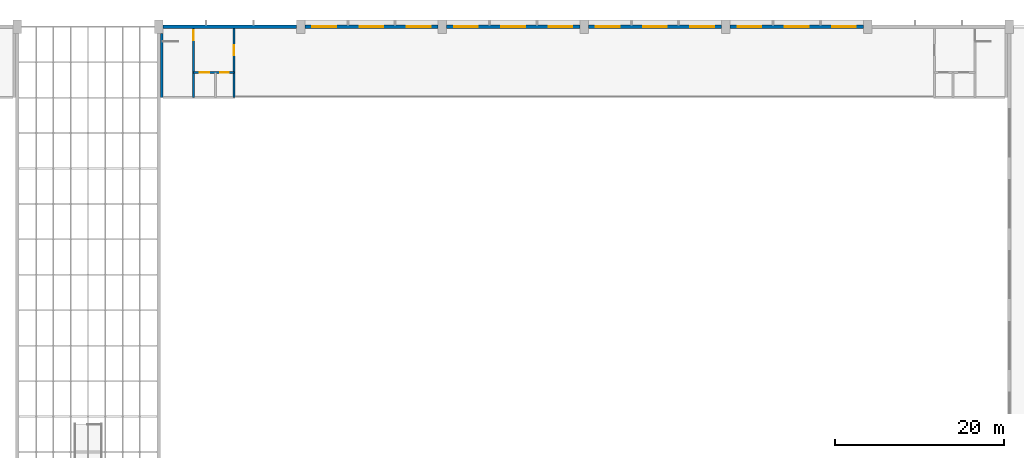
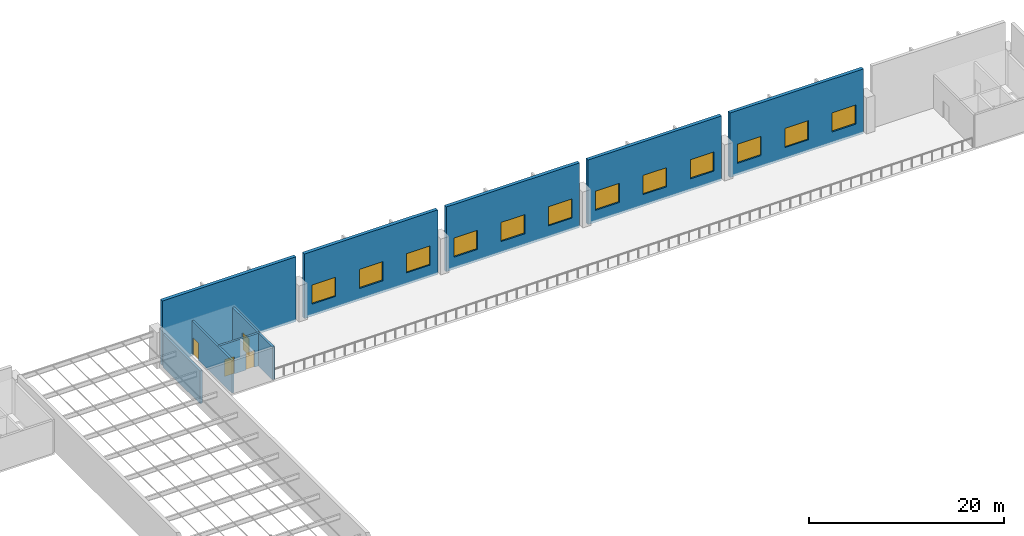
# One storey, part 95 of 162: 12 windows, 9 walls, 4 doors, 16 openings.
"""IFC4 building model written with IfcOpenShell, lengths in metres."""

from ifc_helpers import new_model, si_unit, direction, frame, frame_2d, origin, place, context, subcontext, project, spatial, rectangle, extrude, material, layer, layer_set, type_object, element, fill, save


model = new_model("IFC4")

# Units and contexts
model_context = context("Model", 3, precision=1e-05, world=origin(), true_north=direction((0.0, 1.0)))
body_context = subcontext(model_context, "Body", "Model", "MODEL_VIEW")
ifc_project = project(units=[si_unit("LENGTHUNIT", "METRE"), si_unit("AREAUNIT", "SQUARE_METRE"), si_unit("VOLUMEUNIT", "CUBIC_METRE"), si_unit("PLANEANGLEUNIT", "RADIAN"), si_unit("MASSUNIT", "GRAM", prefix="KILO")], contexts=[model_context])

# Site, building, storey
site_placement = place(None, origin())
site = spatial("IfcSite", under=ifc_project, at=site_placement, CompositionType="ELEMENT")
building_placement = place(site_placement, origin())
building = spatial("IfcBuilding", under=site, at=building_placement, Name="Rain Tree Exposition and Congress Centre", CompositionType="ELEMENT")
storey_placement = place(building_placement, frame((0.0, 0.0, 6.0)))
storey = spatial("IfcBuildingStorey", under=building, at=storey_placement, Name="L01", CompositionType="ELEMENT", Elevation=6.0)

# Wall
ifc_material_1 = material(Name="Concrete C40/50", Category="concrete")
ifc_layer_1 = layer(ifc_material_1, 0.300048828125)
ifc_layer_set_1 = layer_set([ifc_layer_1], Name="Concrete C40/50")
wall_type_1 = type_object("IfcWallType", Name="Core gable pier wall 300", PredefinedType="SHEAR", material=ifc_layer_set_1)
wall_1_placement = place(storey_placement, frame((143.14990234375, 200.800048828125, 0.0), z_axis=(0.0, 0.0, 1.0), x_axis=(0.0, -1.0, 0.0)))
element("IfcWall", 1, at=wall_1_placement, inside=storey, type_object=wall_type_1, Name="Gable pier wall 7", PredefinedType="SHEAR", context=body_context, shape_type="SweptSolid", body=[
    extrude(rectangle(XDim=7.60009765625, YDim=0.300048828125, at=frame_2d((3.800048828125, 0.0))), origin(), (0.0, 0.0, 1.0), 4.10009765625),
])

# Wall, opening, door
ifc_material_2 = material(Name="Concrete C40/50", Category="concrete")
ifc_layer_2 = layer(ifc_material_2, 0.25)
ifc_layer_set_2 = layer_set([ifc_layer_2], Name="Concrete C40/50")
wall_type_2 = type_object("IfcWallType", Name="Core wall 250", PredefinedType="SHEAR", material=ifc_layer_set_2)
wall_2_placement = place(storey_placement, frame((146.89990234375, 201.39990234375, 0.0), z_axis=(0.0, 0.0, 1.0), x_axis=(0.0, -1.0, 0.0)))
wall_2 = element("IfcWall", 2, at=wall_2_placement, inside=storey, type_object=wall_type_2, Name="Stair wall 7", PredefinedType="SHEAR", context=body_context, shape_type="SweptSolid", body=[
    extrude(rectangle(XDim=8.199951171875, YDim=0.25, at=frame_2d((4.10009765625, 0.0))), origin(), (0.0, 0.0, 1.0), 4.10009765625),
])
opening_1_placement = place(wall_2_placement, frame((0.199951171875, 0.0, 0.0)))
opening_1 = element("IfcOpeningElement", 3, at=opening_1_placement, cuts=wall_2, Name="Opening DH233", PredefinedType="OPENING", context=body_context, shape_type="SweptSolid", body=[
    extrude(rectangle(XDim=1.199951171875, YDim=2.10009765625, at=frame_2d((0.60009765625, 1.050048828125))), frame((0.0, 0.125, 0.0), z_axis=(0.0, -1.0, 0.0), x_axis=(1.0, 0.0, 0.0)), (0.0, 0.0, 1.0), 0.25),
])
ifc_material_3 = material(Name="Painted steel fire door", Category="steel")
door_type_1 = type_object("IfcDoorType", Name="Stair fire door 1200x2100", OperationType="NOTDEFINED", PredefinedType="DOOR", material=ifc_material_3)
door_1_placement = place(opening_1_placement, origin())
door_1 = element("IfcDoor", 4, at=door_1_placement, inside=storey, type_object=door_type_1, Name="Door DH233", OperationType="SINGLE_SWING_LEFT", OverallHeight=2.10009765625, OverallWidth=1.199951171875, PredefinedType="DOOR", context=body_context, shape_type="SweptSolid", body=[
    extrude(rectangle(XDim=1.199951171875, YDim=2.10009765625, at=frame_2d((0.60009765625, 1.050048828125))), frame((0.0, 0.02490234375, 0.0), z_axis=(0.0, -1.0, 0.0), x_axis=(1.0, 0.0, 0.0)), (0.0, 0.0, 1.0), 0.050048828125),
])
fill(opening_1, door_1)

wall_3_placement = place(storey_placement, frame((151.699951171875, 201.39990234375, 0.0), z_axis=(0.0, 0.0, 1.0), x_axis=(0.0, -1.0, 0.0)))
wall_3 = element("IfcWall", 5, at=wall_3_placement, inside=storey, type_object=wall_type_2, Name="Core east wall 7", PredefinedType="SHEAR", context=body_context, shape_type="SweptSolid", body=[
    extrude(rectangle(XDim=8.199951171875, YDim=0.25, at=frame_2d((4.10009765625, 0.0))), origin(), (0.0, 0.0, 1.0), 4.10009765625),
])
opening_2_placement = place(wall_3_placement, frame((2.0, 0.0, 0.0)))
opening_2 = element("IfcOpeningElement", 6, at=opening_2_placement, cuts=wall_3, Name="Opening DH234", PredefinedType="OPENING", context=body_context, shape_type="SweptSolid", body=[
    extrude(rectangle(XDim=1.199951171875, YDim=2.10009765625, at=frame_2d((0.60009765625, 1.050048828125))), frame((0.0, 0.125, 0.0), z_axis=(0.0, -1.0, 0.0), x_axis=(1.0, 0.0, 0.0)), (0.0, 0.0, 1.0), 0.25),
])
ifc_material_4 = material(Name="Painted steel fire door", Category="steel")
door_type_2 = type_object("IfcDoorType", Name="Lobby fire door 1200x2100", OperationType="NOTDEFINED", PredefinedType="DOOR", material=ifc_material_4)
door_2_placement = place(opening_2_placement, origin())
door_2 = element("IfcDoor", 7, at=door_2_placement, inside=storey, type_object=door_type_2, Name="Door DH234", OperationType="SINGLE_SWING_LEFT", OverallHeight=2.10009765625, OverallWidth=1.199951171875, PredefinedType="DOOR", context=body_context, shape_type="SweptSolid", body=[
    extrude(rectangle(XDim=1.199951171875, YDim=2.10009765625, at=frame_2d((0.60009765625, 1.050048828125))), frame((0.0, 0.02490234375, 0.0), z_axis=(0.0, -1.0, 0.0), x_axis=(1.0, 0.0, 0.0)), (0.0, 0.0, 1.0), 0.050048828125),
])
fill(opening_2, door_2)

# Wall, openings, doors
wall_4_placement = place(storey_placement, frame((146.89990234375, 196.199951171875, 0.0), z_axis=(0.0, 0.0, 1.0), x_axis=(1.0, 0.0, 0.0)))
wall_4 = element("IfcWall", 8, at=wall_4_placement, inside=storey, type_object=wall_type_2, Name="Lift lobby wall 7", PredefinedType="SHEAR", context=body_context, shape_type="SweptSolid", body=[
    extrude(rectangle(XDim=4.800048828125, YDim=0.25, at=frame_2d((2.39990234375, 0.0))), origin(), (0.0, 0.0, 1.0), 4.10009765625),
])
opening_3_placement = place(wall_4_placement, frame((0.75, 0.0, 0.0)))
opening_3 = element("IfcOpeningElement", 9, at=opening_3_placement, cuts=wall_4, Name="Opening DH235", PredefinedType="OPENING", context=body_context, shape_type="SweptSolid", body=[
    extrude(rectangle(XDim=1.10009765625, YDim=2.10009765625, at=frame_2d((0.550048828125, 1.050048828125))), frame((0.0, 0.125, 0.0), z_axis=(0.0, -1.0, 0.0), x_axis=(1.0, 0.0, 0.0)), (0.0, 0.0, 1.0), 0.25),
])
opening_4_placement = place(wall_4_placement, frame((3.199951171875, 0.0, 0.0)))
opening_4 = element("IfcOpeningElement", 10, at=opening_4_placement, cuts=wall_4, Name="Opening DH236", PredefinedType="OPENING", context=body_context, shape_type="SweptSolid", body=[
    extrude(rectangle(XDim=1.0, YDim=2.10009765625, at=frame_2d((0.5, 1.050048828125))), frame((0.0, 0.125, 0.0), z_axis=(0.0, -1.0, 0.0), x_axis=(1.0, 0.0, 0.0)), (0.0, 0.0, 1.0), 0.25),
])
ifc_material_5 = material(Name="Stainless steel", Category="steel")
door_type_3 = type_object("IfcDoorType", Name="Lift landing door 1100x2100", OperationType="DOUBLE_DOOR_SLIDING", PredefinedType="DOOR", material=ifc_material_5)
door_3_placement = place(opening_3_placement, origin())
door_3 = element("IfcDoor", 11, at=door_3_placement, inside=storey, type_object=door_type_3, Name="Door DH235", OperationType="DOUBLE_DOOR_SLIDING", OverallHeight=2.10009765625, OverallWidth=1.10009765625, PredefinedType="DOOR", context=body_context, shape_type="SweptSolid", body=[
    extrude(rectangle(XDim=1.10009765625, YDim=2.10009765625, at=frame_2d((0.550048828125, 1.050048828125))), frame((0.0, 0.02490234375, 0.0), z_axis=(0.0, -1.0, 0.0), x_axis=(1.0, 0.0, 0.0)), (0.0, 0.0, 1.0), 0.050048828125),
])
fill(opening_3, door_3)
ifc_material_6 = material(Name="Painted steel door", Category="steel")
door_type_4 = type_object("IfcDoorType", Name="Single leaf door 1000x2100", OperationType="NOTDEFINED", PredefinedType="DOOR", material=ifc_material_6)
door_4_placement = place(opening_4_placement, origin())
door_4 = element("IfcDoor", 12, at=door_4_placement, inside=storey, type_object=door_type_4, Name="Door DH236", OperationType="SINGLE_SWING_RIGHT", OverallHeight=2.10009765625, OverallWidth=1.0, PredefinedType="DOOR", context=body_context, shape_type="SweptSolid", body=[
    extrude(rectangle(XDim=1.0, YDim=2.10009765625, at=frame_2d((0.5, 1.050048828125))), frame((0.0, 0.02490234375, 0.0), z_axis=(0.0, -1.0, 0.0), x_axis=(1.0, 0.0, 0.0)), (0.0, 0.0, 1.0), 0.050048828125),
])
fill(opening_4, door_4)

# Wall
ifc_material_7 = material(Name="Precast concrete C50/60", Category="concrete")
ifc_layer_3 = layer(ifc_material_7, 0.39990234375)
ifc_layer_set_3 = layer_set([ifc_layer_3], Name="Precast concrete C50/60")
wall_type_3 = type_object("IfcWallType", Name="Hall precast wall 400", PredefinedType="STANDARD", material=ifc_layer_set_3)
wall_5_placement = place(storey_placement, frame((143.300048828125, 201.60009765625, -0.300048828125), z_axis=(0.0, 0.0, 1.0), x_axis=(1.0, 0.0, 0.0)))
element("IfcWall", 13, at=wall_5_placement, inside=storey, type_object=wall_type_3, Name="Cladding wall N1", PredefinedType="STANDARD", context=body_context, shape_type="SweptSolid", body=[
    extrude(rectangle(XDim=15.800048828125, YDim=0.39990234375, at=frame_2d((7.89990234375, 0.0))), origin(), (0.0, 0.0, 1.0), 8.10009765625),
])

# Wall, openings, windows
wall_6_placement = place(storey_placement, frame((160.10009765625, 201.60009765625, -0.300048828125), z_axis=(0.0, 0.0, 1.0), x_axis=(1.0, 0.0, 0.0)))
wall_6 = element("IfcWall", 14, at=wall_6_placement, inside=storey, type_object=wall_type_3, Name="Cladding wall N2", PredefinedType="STANDARD", context=body_context, shape_type="SweptSolid", body=[
    extrude(rectangle(XDim=15.7998046875, YDim=0.39990234375, at=frame_2d((7.89990234375, 0.0))), origin(), (0.0, 0.0, 1.0), 8.10009765625),
])
opening_5_placement = place(wall_6_placement, frame((0.89990234375, 0.0, 1.5)))
opening_5 = element("IfcOpeningElement", 15, at=opening_5_placement, cuts=wall_6, Name="Opening WH030", PredefinedType="OPENING", context=body_context, shape_type="SweptSolid", body=[
    extrude(rectangle(XDim=2.800048828125, YDim=2.39990234375, at=frame_2d((1.39990234375, 1.199951171875))), frame((0.0, 0.199951171875, 0.0), z_axis=(0.0, -1.0, 0.0), x_axis=(1.0, 0.0, 0.0)), (0.0, 0.0, 1.0), 0.39990234375),
])
opening_6_placement = place(wall_6_placement, frame((6.5, 0.0, 1.5)))
opening_6 = element("IfcOpeningElement", 16, at=opening_6_placement, cuts=wall_6, Name="Opening WH031", PredefinedType="OPENING", context=body_context, shape_type="SweptSolid", body=[
    extrude(rectangle(XDim=2.800048828125, YDim=2.39990234375, at=frame_2d((1.39990234375, 1.199951171875))), frame((0.0, 0.199951171875, 0.0), z_axis=(0.0, -1.0, 0.0), x_axis=(1.0, 0.0, 0.0)), (0.0, 0.0, 1.0), 0.39990234375),
])
opening_7_placement = place(wall_6_placement, frame((12.10009765625, 0.0, 1.5)))
opening_7 = element("IfcOpeningElement", 17, at=opening_7_placement, cuts=wall_6, Name="Opening WH032", PredefinedType="OPENING", context=body_context, shape_type="SweptSolid", body=[
    extrude(rectangle(XDim=2.800048828125, YDim=2.39990234375, at=frame_2d((1.39990234375, 1.199951171875))), frame((0.0, 0.199951171875, 0.0), z_axis=(0.0, -1.0, 0.0), x_axis=(1.0, 0.0, 0.0)), (0.0, 0.0, 1.0), 0.39990234375),
])
ifc_material_8 = material(Name="Aluminium framed glazing", Category="aluminium")
window_type = type_object("IfcWindowType", Name="Hall gallery window 2800x2400", PartitioningType="SINGLE_PANEL", PredefinedType="WINDOW", material=ifc_material_8)
window_1_placement = place(opening_5_placement, origin())
window_1 = element("IfcWindow", 18, at=window_1_placement, inside=storey, type_object=window_type, Name="Window WH030", OverallHeight=2.39990234375, OverallWidth=2.800048828125, PartitioningType="SINGLE_PANEL", PredefinedType="WINDOW", context=body_context, shape_type="SweptSolid", body=[
    extrude(rectangle(XDim=2.800048828125, YDim=2.39990234375, at=frame_2d((1.39990234375, 1.199951171875))), frame((0.0, 0.030029296875, 0.0), z_axis=(0.0, -1.0, 0.0), x_axis=(1.0, 0.0, 0.0)), (0.0, 0.0, 1.0), 0.06005859375),
])
fill(opening_5, window_1)
window_2_placement = place(opening_6_placement, origin())
window_2 = element("IfcWindow", 19, at=window_2_placement, inside=storey, type_object=window_type, Name="Window WH031", OverallHeight=2.39990234375, OverallWidth=2.800048828125, PartitioningType="SINGLE_PANEL", PredefinedType="WINDOW", context=body_context, shape_type="SweptSolid", body=[
    extrude(rectangle(XDim=2.800048828125, YDim=2.39990234375, at=frame_2d((1.39990234375, 1.199951171875))), frame((0.0, 0.030029296875, 0.0), z_axis=(0.0, -1.0, 0.0), x_axis=(1.0, 0.0, 0.0)), (0.0, 0.0, 1.0), 0.06005859375),
])
fill(opening_6, window_2)
window_3_placement = place(opening_7_placement, origin())
window_3 = element("IfcWindow", 20, at=window_3_placement, inside=storey, type_object=window_type, Name="Window WH032", OverallHeight=2.39990234375, OverallWidth=2.800048828125, PartitioningType="SINGLE_PANEL", PredefinedType="WINDOW", context=body_context, shape_type="SweptSolid", body=[
    extrude(rectangle(XDim=2.800048828125, YDim=2.39990234375, at=frame_2d((1.39990234375, 1.199951171875))), frame((0.0, 0.030029296875, 0.0), z_axis=(0.0, -1.0, 0.0), x_axis=(1.0, 0.0, 0.0)), (0.0, 0.0, 1.0), 0.06005859375),
])
fill(opening_7, window_3)

wall_7_placement = place(storey_placement, frame((176.89990234375, 201.60009765625, -0.300048828125), z_axis=(0.0, 0.0, 1.0), x_axis=(1.0, 0.0, 0.0)))
wall_7 = element("IfcWall", 21, at=wall_7_placement, inside=storey, type_object=wall_type_3, Name="Cladding wall N3", PredefinedType="STANDARD", context=body_context, shape_type="SweptSolid", body=[
    extrude(rectangle(XDim=15.800048828125, YDim=0.39990234375, at=frame_2d((7.89990234375, 0.0))), origin(), (0.0, 0.0, 1.0), 8.10009765625),
])
opening_8_placement = place(wall_7_placement, frame((0.89990234375, 0.0, 1.5)))
opening_8 = element("IfcOpeningElement", 22, at=opening_8_placement, cuts=wall_7, Name="Opening WH033", PredefinedType="OPENING", context=body_context, shape_type="SweptSolid", body=[
    extrude(rectangle(XDim=2.800048828125, YDim=2.39990234375, at=frame_2d((1.39990234375, 1.199951171875))), frame((0.0, 0.199951171875, 0.0), z_axis=(0.0, -1.0, 0.0), x_axis=(1.0, 0.0, 0.0)), (0.0, 0.0, 1.0), 0.39990234375),
])
opening_9_placement = place(wall_7_placement, frame((6.5, 0.0, 1.5)))
opening_9 = element("IfcOpeningElement", 23, at=opening_9_placement, cuts=wall_7, Name="Opening WH034", PredefinedType="OPENING", context=body_context, shape_type="SweptSolid", body=[
    extrude(rectangle(XDim=2.800048828125, YDim=2.39990234375, at=frame_2d((1.39990234375, 1.199951171875))), frame((0.0, 0.199951171875, 0.0), z_axis=(0.0, -1.0, 0.0), x_axis=(1.0, 0.0, 0.0)), (0.0, 0.0, 1.0), 0.39990234375),
])
opening_10_placement = place(wall_7_placement, frame((12.10009765625, 0.0, 1.5)))
opening_10 = element("IfcOpeningElement", 24, at=opening_10_placement, cuts=wall_7, Name="Opening WH035", PredefinedType="OPENING", context=body_context, shape_type="SweptSolid", body=[
    extrude(rectangle(XDim=2.800048828125, YDim=2.39990234375, at=frame_2d((1.39990234375, 1.199951171875))), frame((0.0, 0.199951171875, 0.0), z_axis=(0.0, -1.0, 0.0), x_axis=(1.0, 0.0, 0.0)), (0.0, 0.0, 1.0), 0.39990234375),
])
window_4_placement = place(opening_8_placement, origin())
window_4 = element("IfcWindow", 25, at=window_4_placement, inside=storey, type_object=window_type, Name="Window WH033", OverallHeight=2.39990234375, OverallWidth=2.800048828125, PartitioningType="SINGLE_PANEL", PredefinedType="WINDOW", context=body_context, shape_type="SweptSolid", body=[
    extrude(rectangle(XDim=2.800048828125, YDim=2.39990234375, at=frame_2d((1.39990234375, 1.199951171875))), frame((0.0, 0.030029296875, 0.0), z_axis=(0.0, -1.0, 0.0), x_axis=(1.0, 0.0, 0.0)), (0.0, 0.0, 1.0), 0.06005859375),
])
fill(opening_8, window_4)
window_5_placement = place(opening_9_placement, origin())
window_5 = element("IfcWindow", 26, at=window_5_placement, inside=storey, type_object=window_type, Name="Window WH034", OverallHeight=2.39990234375, OverallWidth=2.800048828125, PartitioningType="SINGLE_PANEL", PredefinedType="WINDOW", context=body_context, shape_type="SweptSolid", body=[
    extrude(rectangle(XDim=2.800048828125, YDim=2.39990234375, at=frame_2d((1.39990234375, 1.199951171875))), frame((0.0, 0.030029296875, 0.0), z_axis=(0.0, -1.0, 0.0), x_axis=(1.0, 0.0, 0.0)), (0.0, 0.0, 1.0), 0.06005859375),
])
fill(opening_9, window_5)
window_6_placement = place(opening_10_placement, origin())
window_6 = element("IfcWindow", 27, at=window_6_placement, inside=storey, type_object=window_type, Name="Window WH035", OverallHeight=2.39990234375, OverallWidth=2.800048828125, PartitioningType="SINGLE_PANEL", PredefinedType="WINDOW", context=body_context, shape_type="SweptSolid", body=[
    extrude(rectangle(XDim=2.800048828125, YDim=2.39990234375, at=frame_2d((1.39990234375, 1.199951171875))), frame((0.0, 0.030029296875, 0.0), z_axis=(0.0, -1.0, 0.0), x_axis=(1.0, 0.0, 0.0)), (0.0, 0.0, 1.0), 0.06005859375),
])
fill(opening_10, window_6)

wall_8_placement = place(storey_placement, frame((193.699951171875, 201.60009765625, -0.300048828125), z_axis=(0.0, 0.0, 1.0), x_axis=(1.0, 0.0, 0.0)))
wall_8 = element("IfcWall", 28, at=wall_8_placement, inside=storey, type_object=wall_type_3, Name="Cladding wall N4", PredefinedType="STANDARD", context=body_context, shape_type="SweptSolid", body=[
    extrude(rectangle(XDim=15.800048828125, YDim=0.39990234375, at=frame_2d((7.89990234375, 0.0))), origin(), (0.0, 0.0, 1.0), 8.10009765625),
])
opening_11_placement = place(wall_8_placement, frame((0.89990234375, 0.0, 1.5)))
opening_11 = element("IfcOpeningElement", 29, at=opening_11_placement, cuts=wall_8, Name="Opening WH036", PredefinedType="OPENING", context=body_context, shape_type="SweptSolid", body=[
    extrude(rectangle(XDim=2.800048828125, YDim=2.39990234375, at=frame_2d((1.39990234375, 1.199951171875))), frame((0.0, 0.199951171875, 0.0), z_axis=(0.0, -1.0, 0.0), x_axis=(1.0, 0.0, 0.0)), (0.0, 0.0, 1.0), 0.39990234375),
])
opening_12_placement = place(wall_8_placement, frame((6.5, 0.0, 1.5)))
opening_12 = element("IfcOpeningElement", 30, at=opening_12_placement, cuts=wall_8, Name="Opening WH037", PredefinedType="OPENING", context=body_context, shape_type="SweptSolid", body=[
    extrude(rectangle(XDim=2.800048828125, YDim=2.39990234375, at=frame_2d((1.39990234375, 1.199951171875))), frame((0.0, 0.199951171875, 0.0), z_axis=(0.0, -1.0, 0.0), x_axis=(1.0, 0.0, 0.0)), (0.0, 0.0, 1.0), 0.39990234375),
])
opening_13_placement = place(wall_8_placement, frame((12.10009765625, 0.0, 1.5)))
opening_13 = element("IfcOpeningElement", 31, at=opening_13_placement, cuts=wall_8, Name="Opening WH038", PredefinedType="OPENING", context=body_context, shape_type="SweptSolid", body=[
    extrude(rectangle(XDim=2.800048828125, YDim=2.39990234375, at=frame_2d((1.39990234375, 1.199951171875))), frame((0.0, 0.199951171875, 0.0), z_axis=(0.0, -1.0, 0.0), x_axis=(1.0, 0.0, 0.0)), (0.0, 0.0, 1.0), 0.39990234375),
])
window_7_placement = place(opening_11_placement, origin())
window_7 = element("IfcWindow", 32, at=window_7_placement, inside=storey, type_object=window_type, Name="Window WH036", OverallHeight=2.39990234375, OverallWidth=2.800048828125, PartitioningType="SINGLE_PANEL", PredefinedType="WINDOW", context=body_context, shape_type="SweptSolid", body=[
    extrude(rectangle(XDim=2.800048828125, YDim=2.39990234375, at=frame_2d((1.39990234375, 1.199951171875))), frame((0.0, 0.030029296875, 0.0), z_axis=(0.0, -1.0, 0.0), x_axis=(1.0, 0.0, 0.0)), (0.0, 0.0, 1.0), 0.06005859375),
])
fill(opening_11, window_7)
window_8_placement = place(opening_12_placement, origin())
window_8 = element("IfcWindow", 33, at=window_8_placement, inside=storey, type_object=window_type, Name="Window WH037", OverallHeight=2.39990234375, OverallWidth=2.800048828125, PartitioningType="SINGLE_PANEL", PredefinedType="WINDOW", context=body_context, shape_type="SweptSolid", body=[
    extrude(rectangle(XDim=2.800048828125, YDim=2.39990234375, at=frame_2d((1.39990234375, 1.199951171875))), frame((0.0, 0.030029296875, 0.0), z_axis=(0.0, -1.0, 0.0), x_axis=(1.0, 0.0, 0.0)), (0.0, 0.0, 1.0), 0.06005859375),
])
fill(opening_12, window_8)
window_9_placement = place(opening_13_placement, origin())
window_9 = element("IfcWindow", 34, at=window_9_placement, inside=storey, type_object=window_type, Name="Window WH038", OverallHeight=2.39990234375, OverallWidth=2.800048828125, PartitioningType="SINGLE_PANEL", PredefinedType="WINDOW", context=body_context, shape_type="SweptSolid", body=[
    extrude(rectangle(XDim=2.800048828125, YDim=2.39990234375, at=frame_2d((1.39990234375, 1.199951171875))), frame((0.0, 0.030029296875, 0.0), z_axis=(0.0, -1.0, 0.0), x_axis=(1.0, 0.0, 0.0)), (0.0, 0.0, 1.0), 0.06005859375),
])
fill(opening_13, window_9)

wall_9_placement = place(storey_placement, frame((210.5, 201.60009765625, -0.300048828125), z_axis=(0.0, 0.0, 1.0), x_axis=(1.0, 0.0, 0.0)))
wall_9 = element("IfcWall", 35, at=wall_9_placement, inside=storey, type_object=wall_type_3, Name="Cladding wall N5", PredefinedType="STANDARD", context=body_context, shape_type="SweptSolid", body=[
    extrude(rectangle(XDim=15.800048828125, YDim=0.39990234375, at=frame_2d((7.89990234375, 0.0))), origin(), (0.0, 0.0, 1.0), 8.10009765625),
])
opening_14_placement = place(wall_9_placement, frame((0.89990234375, 0.0, 1.5)))
opening_14 = element("IfcOpeningElement", 36, at=opening_14_placement, cuts=wall_9, Name="Opening WH039", PredefinedType="OPENING", context=body_context, shape_type="SweptSolid", body=[
    extrude(rectangle(XDim=2.800048828125, YDim=2.39990234375, at=frame_2d((1.39990234375, 1.199951171875))), frame((0.0, 0.199951171875, 0.0), z_axis=(0.0, -1.0, 0.0), x_axis=(1.0, 0.0, 0.0)), (0.0, 0.0, 1.0), 0.39990234375),
])
opening_15_placement = place(wall_9_placement, frame((6.5, 0.0, 1.5)))
opening_15 = element("IfcOpeningElement", 37, at=opening_15_placement, cuts=wall_9, Name="Opening WH040", PredefinedType="OPENING", context=body_context, shape_type="SweptSolid", body=[
    extrude(rectangle(XDim=2.800048828125, YDim=2.39990234375, at=frame_2d((1.39990234375, 1.199951171875))), frame((0.0, 0.199951171875, 0.0), z_axis=(0.0, -1.0, 0.0), x_axis=(1.0, 0.0, 0.0)), (0.0, 0.0, 1.0), 0.39990234375),
])
opening_16_placement = place(wall_9_placement, frame((12.10009765625, 0.0, 1.5)))
opening_16 = element("IfcOpeningElement", 38, at=opening_16_placement, cuts=wall_9, Name="Opening WH041", PredefinedType="OPENING", context=body_context, shape_type="SweptSolid", body=[
    extrude(rectangle(XDim=2.800048828125, YDim=2.39990234375, at=frame_2d((1.39990234375, 1.199951171875))), frame((0.0, 0.199951171875, 0.0), z_axis=(0.0, -1.0, 0.0), x_axis=(1.0, 0.0, 0.0)), (0.0, 0.0, 1.0), 0.39990234375),
])
window_10_placement = place(opening_14_placement, origin())
window_10 = element("IfcWindow", 39, at=window_10_placement, inside=storey, type_object=window_type, Name="Window WH039", OverallHeight=2.39990234375, OverallWidth=2.800048828125, PartitioningType="SINGLE_PANEL", PredefinedType="WINDOW", context=body_context, shape_type="SweptSolid", body=[
    extrude(rectangle(XDim=2.800048828125, YDim=2.39990234375, at=frame_2d((1.39990234375, 1.199951171875))), frame((0.0, 0.030029296875, 0.0), z_axis=(0.0, -1.0, 0.0), x_axis=(1.0, 0.0, 0.0)), (0.0, 0.0, 1.0), 0.06005859375),
])
fill(opening_14, window_10)
window_11_placement = place(opening_15_placement, origin())
window_11 = element("IfcWindow", 40, at=window_11_placement, inside=storey, type_object=window_type, Name="Window WH040", OverallHeight=2.39990234375, OverallWidth=2.800048828125, PartitioningType="SINGLE_PANEL", PredefinedType="WINDOW", context=body_context, shape_type="SweptSolid", body=[
    extrude(rectangle(XDim=2.800048828125, YDim=2.39990234375, at=frame_2d((1.39990234375, 1.199951171875))), frame((0.0, 0.030029296875, 0.0), z_axis=(0.0, -1.0, 0.0), x_axis=(1.0, 0.0, 0.0)), (0.0, 0.0, 1.0), 0.06005859375),
])
fill(opening_15, window_11)
window_12_placement = place(opening_16_placement, origin())
window_12 = element("IfcWindow", 41, at=window_12_placement, inside=storey, type_object=window_type, Name="Window WH041", OverallHeight=2.39990234375, OverallWidth=2.800048828125, PartitioningType="SINGLE_PANEL", PredefinedType="WINDOW", context=body_context, shape_type="SweptSolid", body=[
    extrude(rectangle(XDim=2.800048828125, YDim=2.39990234375, at=frame_2d((1.39990234375, 1.199951171875))), frame((0.0, 0.030029296875, 0.0), z_axis=(0.0, -1.0, 0.0), x_axis=(1.0, 0.0, 0.0)), (0.0, 0.0, 1.0), 0.06005859375),
])
fill(opening_16, window_12)

save(model, "model.ifc")
